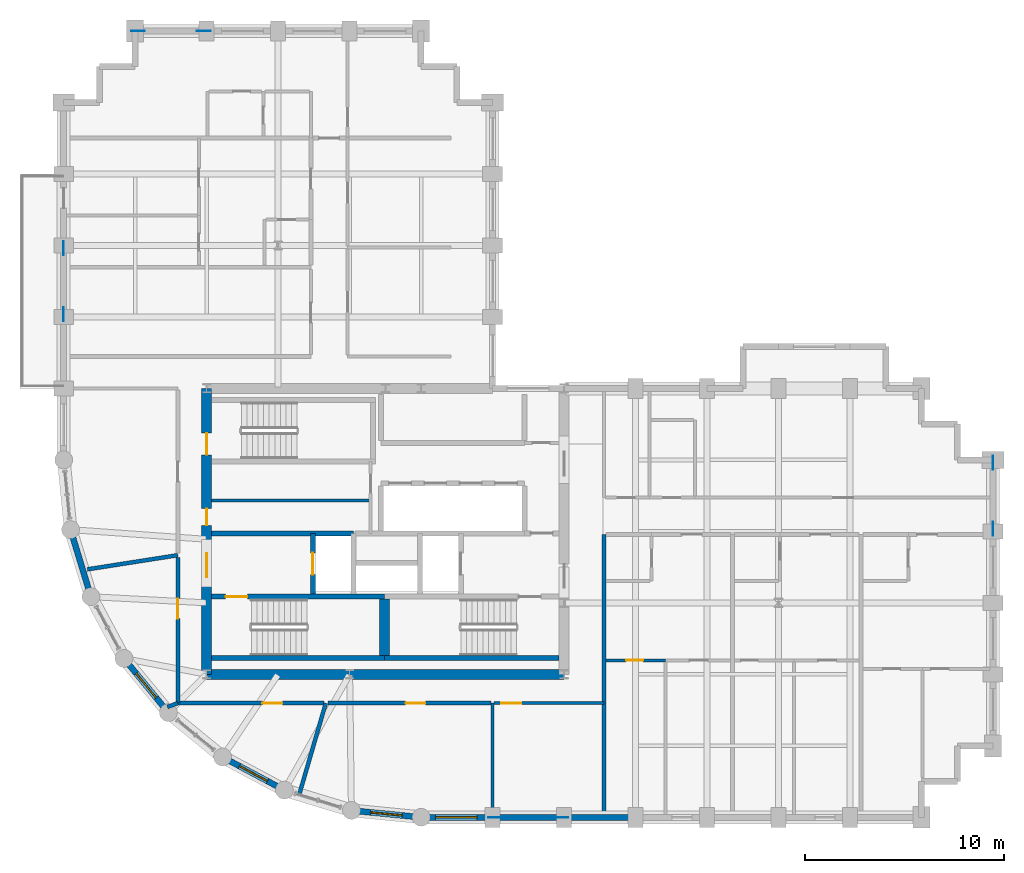
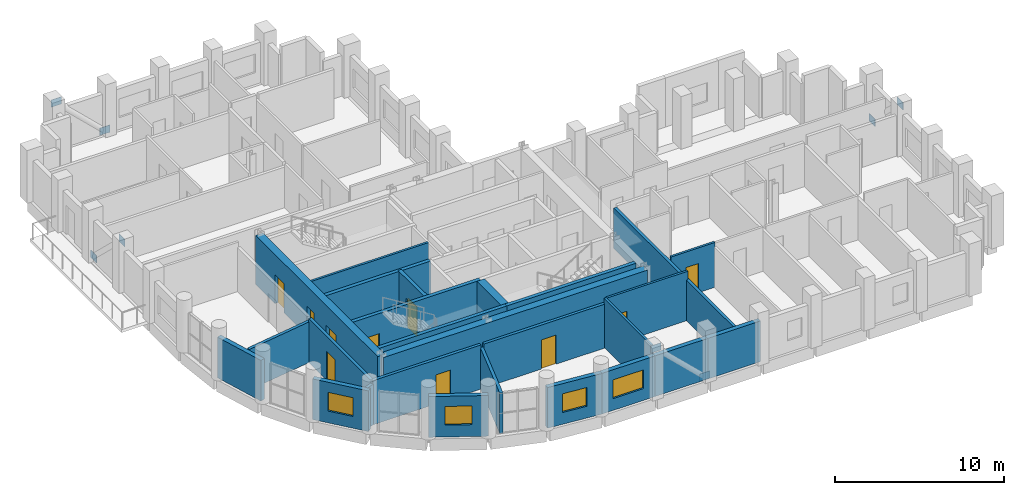
# One storey, part 9 of 15: 26 walls, 10 doors, 8 plates, 4 windows, 14 openings.
"""IFC4 building model written with IfcOpenShell, lengths in metres."""

import ifcopenshell
import ifcopenshell.guid

model = None  # the IFC model being written
_history = None  # IfcOwnerHistory: only IFC2X3 demands one
_inside = {}  # id of a spatial element -> (the spatial element, [elements in it])
_under = {}  # id of a project, library or spatial element -> (it, [spatial elements below it])
_declared = {}  # id of a project -> (the project, [libraries it declares])
_typed = {}  # id of a type object -> (the type object, [elements of that type])
_made_of = {}  # id of a material, layer set ... -> (it, [elements and type objects made of it])


def new_model(schema):
    """Start an empty IFC model of exactly this schema.

    Asked for "IFC4X3", IfcOpenShell would pick the latest addendum, in which some entities
    have other attributes; the version numbers below select the first issue.
    IFC2X3 requires an IfcOwnerHistory on every rooted entity: one is made here for all.
    """
    global model, _history
    if schema == "IFC4X3":
        model = ifcopenshell.file(schema_version=(4, 3, 0, 0))
    else:
        model = ifcopenshell.file(schema=schema)
    _inside.clear()
    _under.clear()
    _declared.clear()
    _typed.clear()
    _made_of.clear()
    _history = None
    if model.schema == "IFC2X3":
        org = make("IfcOrganization", Name="unknown")
        user = make(
            "IfcPersonAndOrganization",
            ThePerson=make("IfcPerson", FamilyName="unknown"),
            TheOrganization=org,
        )
        app = make(
            "IfcApplication",
            ApplicationDeveloper=org,
            Version="unknown",
            ApplicationFullName="unknown",
            ApplicationIdentifier="unknown",
        )
        _history = make(
            "IfcOwnerHistory",
            OwningUser=user,
            OwningApplication=app,
            ChangeAction="ADDED",
            CreationDate=0,
        )
    return model


def make(cls, **values):
    """One entity of the class cls with the attributes given. An attribute that is None is left unset."""
    return model.create_entity(
        cls, **{name: value for name, value in values.items() if value is not None}
    )


def rooted(cls, **values):
    """An entity with a GlobalId (a new one), such as an element, a storey or a relation."""
    return make(cls, GlobalId=ifcopenshell.guid.new(), OwnerHistory=_history, **values)


def si_unit(unit_type, name, prefix=None):
    """IfcSIUnit, for example si_unit("LENGTHUNIT", "METRE", prefix="MILLI")."""
    return make("IfcSIUnit", UnitType=unit_type, Prefix=prefix, Name=name)


def assignment(units):
    """IfcUnitAssignment: the units of a project."""
    return None if units is None else make("IfcUnitAssignment", Units=units)


def point(xyz):
    """IfcCartesianPoint."""
    return None if xyz is None else make("IfcCartesianPoint", Coordinates=xyz)


def direction(xyz):
    """IfcDirection."""
    return None if xyz is None else make("IfcDirection", DirectionRatios=xyz)


def frame(location, z_axis=None, x_axis=None):
    """IfcAxis2Placement3D, a coordinate frame: its origin and axes. An axis left out is left unset."""
    return make(
        "IfcAxis2Placement3D",
        Location=point(location),
        Axis=direction(z_axis),
        RefDirection=direction(x_axis),
    )


def frame_2d(location, x_axis=None):
    """IfcAxis2Placement2D, a coordinate frame in the plane: its origin and x axis."""
    return make(
        "IfcAxis2Placement2D", Location=point(location), RefDirection=direction(x_axis)
    )


def origin():
    """The frame at (0, 0, 0) with its axes left unset."""
    return frame((0.0, 0.0, 0.0))


def origin_2d():
    """The frame at (0, 0) in the plane with its x axis left unset."""
    return frame_2d((0.0, 0.0))


def place(relative_to, where):
    """IfcLocalPlacement: puts the frame where relative to a parent placement (None: the world)."""
    return make(
        "IfcLocalPlacement", PlacementRelTo=relative_to, RelativePlacement=where
    )


def context(
    kind, dimensions, precision=None, world=None, true_north=None, identifier=None
):
    """IfcGeometricRepresentationContext, for example the 3D "Model" context."""
    return make(
        "IfcGeometricRepresentationContext",
        ContextIdentifier=identifier,
        ContextType=kind,
        CoordinateSpaceDimension=dimensions,
        Precision=precision,
        WorldCoordinateSystem=world,
        TrueNorth=true_north,
    )


def subcontext(parent, identifier, kind, view, scale=None):
    """IfcGeometricRepresentationSubContext, for example "Body" below "Model"."""
    return make(
        "IfcGeometricRepresentationSubContext",
        ContextIdentifier=identifier,
        ContextType=kind,
        ParentContext=parent,
        TargetScale=scale,
        TargetView=view,
    )


def project(units=None, contexts=None):
    """IfcProject with its units and contexts."""
    return rooted(
        "IfcProject",
        Name="project",
        RepresentationContexts=contexts,
        UnitsInContext=assignment(units),
    )


def spatial(cls, under=None, at=None, **own):
    """A site, building, storey or space (cls), placed at a placement, below another one or the project."""
    s = rooted(cls, ObjectPlacement=at, **own)
    if under is not None:
        _under.setdefault(under.id(), (under, []))[1].append(s)
    return s


def profile(cls, at=None, kind="AREA", **sizes):
    """A parametric profile (cls). Its sizes go by their IFC names, for example OverallWidth=200.0."""
    return make(cls, ProfileType=kind, Position=at, **sizes)


def rectangle(**sizes):
    """IfcRectangleProfileDef."""
    return profile("IfcRectangleProfileDef", **sizes)


def extrude(swept, where, along, depth):
    """IfcExtrudedAreaSolid: the profile swept, set in the frame where, extruded along a direction by depth."""
    return make(
        "IfcExtrudedAreaSolid",
        SweptArea=swept,
        Position=where,
        ExtrudedDirection=direction(along),
        Depth=depth,
    )


def shape(context_of_items, identifier, shape_type, items):
    """IfcShapeRepresentation: the items that make up one representation, for example the "Body"."""
    return make(
        "IfcShapeRepresentation",
        ContextOfItems=context_of_items,
        RepresentationIdentifier=identifier,
        RepresentationType=shape_type,
        Items=items,
    )


def material(Name=None, Category=None):
    """IfcMaterial."""
    return make("IfcMaterial", Name=Name, Category=Category)


def layer(
    of_material, thickness, ventilated=None, Name=None, Category=None, Priority=None
):
    """IfcMaterialLayer: one layer of a wall or slab, of a material (None: an air gap)."""
    return make(
        "IfcMaterialLayer",
        Material=of_material,
        LayerThickness=thickness,
        IsVentilated=ventilated,
        Name=Name,
        Category=Category,
        Priority=Priority,
    )


def layer_set(layers, Name=None):
    """IfcMaterialLayerSet."""
    return make("IfcMaterialLayerSet", MaterialLayers=layers, LayerSetName=Name)


def made_of(thing, what):
    """Note that an element or type object is made of a material, layer set ...; save() writes the relation."""
    if what is not None:
        _made_of.setdefault(what.id(), (what, []))[1].append(thing)
    return thing


def type_object(cls, material=None, **own):
    """A type object (cls), such as IfcWallType, which elements share."""
    return made_of(rooted(cls, **own), material)


def element(
    cls,
    number,
    at=None,
    inside=None,
    cuts=None,
    type_object=None,
    material=None,
    context=None,
    identifier="Body",
    shape_type=None,
    held_by="IfcProductDefinitionShape",
    body=None,
    shapes=None,
    **own,
):
    """One element of the class cls, such as IfcWall. Its Tag is "e" and its number.

    at: its placement. inside: the storey or other place that contains it. cuts: it is an
    opening in that element (IfcRelVoidsElement). A single representation is given by context,
    identifier, shape_type and body (its items); several are given by shapes. held_by: the class
    of the entity that holds the representations. save() writes the other relations.
    """
    e = rooted(cls, Tag="e%d" % number, ObjectPlacement=at, **own)
    if body is not None:
        shapes = [shape(context, identifier, shape_type, body)]
    if shapes is not None:
        e.Representation = make(held_by, Representations=shapes)
    if inside is not None:
        _inside.setdefault(inside.id(), (inside, []))[1].append(e)
    if cuts is not None:
        rooted(
            "IfcRelVoidsElement", RelatingBuildingElement=cuts, RelatedOpeningElement=e
        )
    if type_object is not None:
        _typed.setdefault(type_object.id(), (type_object, []))[1].append(e)
    return made_of(e, material)


def fill(opening, filler):
    """IfcRelFillsElement: the door or window that sits in an opening."""
    return rooted(
        "IfcRelFillsElement",
        RelatingOpeningElement=opening,
        RelatedBuildingElement=filler,
    )


def aggregate(whole, parts):
    """IfcRelAggregates: a whole, such as a stair, and the parts it consists of."""
    return rooted("IfcRelAggregates", RelatingObject=whole, RelatedObjects=parts)


def save(model, path):
    """Write the relations noted so far, then the file.

    IfcRelAggregates (storeys below a building ...), IfcRelContainedInSpatialStructure (elements
    in a storey), IfcRelDefinesByType, IfcRelAssociatesMaterial and IfcRelDeclares: one each for
    every whole, place, type object, material and project.
    """
    for whole, parts in _under.values():
        aggregate(whole, parts)
    for where, things in _inside.values():
        rooted(
            "IfcRelContainedInSpatialStructure",
            RelatedElements=things,
            RelatingStructure=where,
        )
    for kind, things in _typed.values():
        rooted("IfcRelDefinesByType", RelatedObjects=things, RelatingType=kind)
    for what, things in _made_of.values():
        rooted("IfcRelAssociatesMaterial", RelatedObjects=things, RelatingMaterial=what)
    for by, libraries in _declared.values():
        rooted("IfcRelDeclares", RelatingContext=by, RelatedDefinitions=libraries)
    model.write(path)


model = new_model("IFC4")

# Units and contexts
model_context = context("Model", 3, precision=1e-05, world=origin(), true_north=direction((0.0, 1.0)))
body_context = subcontext(model_context, "Body", "Model", "MODEL_VIEW")
ifc_project = project(units=[si_unit("LENGTHUNIT", "METRE"), si_unit("AREAUNIT", "SQUARE_METRE"), si_unit("VOLUMEUNIT", "CUBIC_METRE"), si_unit("PLANEANGLEUNIT", "RADIAN"), si_unit("MASSUNIT", "GRAM", prefix="KILO")], contexts=[model_context])

# Site, building, storey
site_placement = place(None, origin())
site = spatial("IfcSite", under=ifc_project, at=site_placement, CompositionType="ELEMENT")
building_placement = place(site_placement, origin())
building = spatial("IfcBuilding", under=site, at=building_placement, Name="Solnavia Interchange Tower", CompositionType="ELEMENT")
storey_placement = place(building_placement, frame((0.0, 0.0, 146.60009765625)))
storey = spatial("IfcBuildingStorey", under=building, at=storey_placement, Name="L36", CompositionType="ELEMENT", Elevation=146.60009765625)

# Plates
ifc_material_1 = material(Name="Steel S460", Category="steel")
ifc_layer_1 = layer(ifc_material_1, 0.030029296875)
ifc_layer_set_1 = layer_set([ifc_layer_1], Name="Steel S460")
plate_type = type_object("IfcPlateType", Name="Plate-Gusset-700x520x30", PredefinedType="USERDEFINED", material=ifc_layer_set_1)
for number, where, z_axis, x_axis, name in (
    (1, (32.260009765625, 3.60009765625, -0.080078125), (0.0, 0.0, 1.0), (-1.0, 0.0, 0.0), "PLT-L36-GP01 Perimeter brace gusset plate"),
    (2, (28.93994140625, 3.60009765625, 3.10986328125), (0.0, 0.0, 1.0), (-1.0, 0.0, 0.0), "PLT-L36-GP02 Perimeter brace gusset plate"),
    (3, (7.199951171875, 32.260009765625, -0.080078125), (0.0, 0.0, 1.0), (0.0, -1.0, 0.0), "PLT-L36-GP03 Perimeter brace gusset plate"),
    (4, (7.199951171875, 28.93994140625, 3.10986328125), (0.0, 0.0, 1.0), (0.0, -1.0, 0.0), "PLT-L36-GP04 Perimeter brace gusset plate"),
    (5, (54.0, 21.4599609375, -0.080078125), (0.0, 0.0, 1.0), (0.0, -1.0, 0.0), "PLT-L36-GP05 Perimeter brace gusset plate"),
    (6, (54.0, 18.139892578125, 3.10986328125), (0.0, 0.0, 1.0), (0.0, -1.0, 0.0), "PLT-L36-GP06 Perimeter brace gusset plate"),
    (7, (14.260009765625, 43.199951171875, -0.080078125), (0.0, 0.0, 1.0), (-1.0, 0.0, 0.0), "PLT-L36-GP07 Perimeter brace gusset plate"),
    (8, (10.93994140625, 43.199951171875, 3.10986328125), (0.0, 0.0, 1.0), (-1.0, 0.0, 0.0), "PLT-L36-GP08 Perimeter brace gusset plate"),
):
    element("IfcPlate", number, at=place(storey_placement, frame(where, z_axis=z_axis, x_axis=x_axis)), inside=storey, type_object=plate_type, Name=name, ObjectType="GUSSET PLATE", PredefinedType="USERDEFINED", context=body_context, shape_type="SweptSolid", body=[
        extrude(rectangle(XDim=0.699951171875, YDim=0.030029296875, at=origin_2d()), origin(), (0.0, 0.0, 1.0), 0.52001953125),
    ])

# Walls
ifc_material_2 = material(Name="Gypsum Acoustic Twin-Stud & Mineral Wool", Category="gypsum")
ifc_layer_2 = layer(ifc_material_2, 0.199951171875)
ifc_layer_set_2 = layer_set([ifc_layer_2], Name="Gypsum Acoustic Twin-Stud & Mineral Wool")
wall_type_1 = type_object("IfcWallType", Name="Wall-ApartmentParty-200", PredefinedType="PARTITIONING", material=ifc_layer_set_2)
wall_1_placement = place(storey_placement, frame((12.949951171875, 16.800048828125, 0.0), z_axis=(0.0, 0.0, 1.0), x_axis=(-0.987973652082, -0.154622323068, 0.0)))
element("IfcWall", 9, at=wall_1_placement, inside=storey, type_object=wall_type_1, Name="PTW-L36-09 Interior partition wall", PredefinedType="PARTITIONING", context=body_context, shape_type="SweptSolid", body=[
    extrude(rectangle(XDim=4.612060546875, YDim=0.199951171875, at=frame_2d((2.30615234375, 0.0))), origin(), (0.0, 0.0, 1.0), 2.929931640625),
])
wall_2_placement = place(storey_placement, frame((12.949951171875, 9.35009765625, 0.0), z_axis=(0.0, 0.0, 1.0), x_axis=(-0.939538101119, -0.342444384601, 0.0)))
element("IfcWall", 10, at=wall_2_placement, inside=storey, type_object=wall_type_1, Name="PTW-L36-10 Interior partition wall", PredefinedType="PARTITIONING", context=body_context, shape_type="SweptSolid", body=[
    extrude(rectangle(XDim=0.558837890625, YDim=0.199951171875, at=frame_2d((0.279296875, 0.0))), origin(), (0.0, 0.0, 1.0), 2.929931640625),
])
wall_3_placement = place(storey_placement, frame((20.39990234375, 9.35009765625, 0.0), z_axis=(0.0, 0.0, 1.0), x_axis=(-0.27916607548, -0.960242835069, 0.0)))
element("IfcWall", 11, at=wall_3_placement, inside=storey, type_object=wall_type_1, Name="PTW-L36-11 Interior partition wall", PredefinedType="PARTITIONING", context=body_context, shape_type="SweptSolid", body=[
    extrude(rectangle(XDim=4.857177734375, YDim=0.199951171875, at=frame_2d((2.4287109375, 0.0))), origin(), (0.0, 0.0, 1.0), 2.929931640625),
])

# Wall, opening, door
wall_4_placement = place(storey_placement, frame((12.949951171875, 9.35009765625, 0.0), z_axis=(0.0, 0.0, 1.0), x_axis=(0.0, 1.0, 0.0)))
wall_4 = element("IfcWall", 12, at=wall_4_placement, inside=storey, type_object=wall_type_1, Name="PTW-L36-13 Interior partition wall", PredefinedType="PARTITIONING", context=body_context, shape_type="SweptSolid", body=[
    extrude(rectangle(XDim=7.345947265625, YDim=0.199951171875, at=frame_2d((3.6728515625, 0.0))), origin(), (0.0, 0.0, 1.0), 3.169921875),
])
opening_1_placement = place(wall_4_placement, frame((4.260986328125, 0.0, 0.0)))
opening_1 = element("IfcOpeningElement", 13, at=opening_1_placement, cuts=wall_4, Name="Opening DR-07", PredefinedType="OPENING", context=body_context, shape_type="SweptSolid", body=[
    extrude(rectangle(XDim=1.0, YDim=2.10009765625, at=frame_2d((0.5, 1.050048828125))), frame((0.0, 0.10986328125, 0.0), z_axis=(0.0, -1.0, 0.0), x_axis=(1.0, 0.0, 0.0)), (0.0, 0.0, 1.0), 0.219970703125),
])
ifc_material_3 = material(Name="Timber & Acoustic Glazed Office Door", Category="wood")
door_type_1 = type_object("IfcDoorType", Name="Door-Office-1000x2100", OperationType="SINGLE_SWING_RIGHT", PredefinedType="DOOR", material=ifc_material_3)
door_1_placement = place(opening_1_placement, origin())
door_1 = element("IfcDoor", 14, at=door_1_placement, inside=storey, type_object=door_type_1, Name="DR-L36-04 Interior room door", OperationType="SINGLE_SWING_RIGHT", OverallHeight=2.10009765625, OverallWidth=1.0, PredefinedType="DOOR", context=body_context, shape_type="SweptSolid", body=[
    extrude(rectangle(XDim=1.0, YDim=2.10009765625, at=frame_2d((0.5, 1.050048828125))), frame((0.0, 0.02490234375, 0.0), z_axis=(0.0, -1.0, 0.0), x_axis=(1.0, 0.0, 0.0)), (0.0, 0.0, 1.0), 0.050048828125),
])
fill(opening_1, door_1)

wall_5_placement = place(storey_placement, frame((12.949951171875, 9.35009765625, 0.0), z_axis=(0.0, 0.0, 1.0), x_axis=(1.0, 0.0, 0.0)))
wall_5 = element("IfcWall", 15, at=wall_5_placement, inside=storey, type_object=wall_type_1, Name="PTW-L36-14 Interior partition wall", PredefinedType="PARTITIONING", context=body_context, shape_type="SweptSolid", body=[
    extrude(rectangle(XDim=7.345947265625, YDim=0.199951171875, at=frame_2d((3.6728515625, 0.0))), origin(), (0.0, 0.0, 1.0), 3.179931640625),
])
opening_2_placement = place(wall_5_placement, frame((4.260986328125, 0.0, 0.0)))
opening_2 = element("IfcOpeningElement", 16, at=opening_2_placement, cuts=wall_5, Name="Opening DR-07", PredefinedType="OPENING", context=body_context, shape_type="SweptSolid", body=[
    extrude(rectangle(XDim=1.0, YDim=2.10009765625, at=frame_2d((0.5, 1.050048828125))), frame((0.0, 0.10986328125, 0.0), z_axis=(0.0, -1.0, 0.0), x_axis=(1.0, 0.0, 0.0)), (0.0, 0.0, 1.0), 0.219970703125),
])
door_2_placement = place(opening_2_placement, origin())
door_2 = element("IfcDoor", 17, at=door_2_placement, inside=storey, type_object=door_type_1, Name="DR-L36-05 Interior room door", OperationType="SINGLE_SWING_LEFT", OverallHeight=2.10009765625, OverallWidth=1.0, PredefinedType="DOOR", context=body_context, shape_type="SweptSolid", body=[
    extrude(rectangle(XDim=1.0, YDim=2.10009765625, at=frame_2d((0.5, 1.050048828125))), frame((0.0, 0.02490234375, 0.0), z_axis=(0.0, -1.0, 0.0), x_axis=(1.0, 0.0, 0.0)), (0.0, 0.0, 1.0), 0.050048828125),
])
fill(opening_2, door_2)

wall_6_placement = place(storey_placement, frame((20.50390625, 9.35009765625, 0.0), z_axis=(0.0, 0.0, 1.0), x_axis=(1.0, 0.0, 0.0)))
wall_6 = element("IfcWall", 18, at=wall_6_placement, inside=storey, type_object=wall_type_1, Name="PTW-L36-15 Interior partition wall", PredefinedType="PARTITIONING", context=body_context, shape_type="SweptSolid", body=[
    extrude(rectangle(XDim=8.217041015625, YDim=0.199951171875, at=frame_2d((4.1083984375, 0.0))), origin(), (0.0, 0.0, 1.0), 3.169921875),
])
opening_3_placement = place(wall_6_placement, frame((3.9140625, 0.0, 0.0)))
opening_3 = element("IfcOpeningElement", 19, at=opening_3_placement, cuts=wall_6, Name="Opening DR-07", PredefinedType="OPENING", context=body_context, shape_type="SweptSolid", body=[
    extrude(rectangle(XDim=1.0, YDim=2.10009765625, at=frame_2d((0.5, 1.050048828125))), frame((0.0, 0.10986328125, 0.0), z_axis=(0.0, -1.0, 0.0), x_axis=(1.0, 0.0, 0.0)), (0.0, 0.0, 1.0), 0.219970703125),
])
door_3_placement = place(opening_3_placement, origin())
door_3 = element("IfcDoor", 20, at=door_3_placement, inside=storey, type_object=door_type_1, Name="DR-L36-06 Interior room door", OperationType="SINGLE_SWING_RIGHT", OverallHeight=2.10009765625, OverallWidth=1.0, PredefinedType="DOOR", context=body_context, shape_type="SweptSolid", body=[
    extrude(rectangle(XDim=1.0, YDim=2.10009765625, at=frame_2d((0.5, 1.050048828125))), frame((0.0, 0.02490234375, 0.0), z_axis=(0.0, -1.0, 0.0), x_axis=(1.0, 0.0, 0.0)), (0.0, 0.0, 1.0), 0.050048828125),
])
fill(opening_3, door_3)

# Wall
wall_7_placement = place(storey_placement, frame((34.39990234375, 3.75390625, 0.0), z_axis=(0.0, 0.0, 1.0), x_axis=(0.0, 1.0, 0.0)))
element("IfcWall", 21, at=wall_7_placement, inside=storey, type_object=wall_type_1, Name="PTW-L36-17 Interior partition wall", PredefinedType="PARTITIONING", context=body_context, shape_type="SweptSolid", body=[
    extrude(rectangle(XDim=14.09619140625, YDim=0.199951171875, at=frame_2d((7.048095703125, 0.0))), origin(), (0.0, 0.0, 1.0), 2.929931640625),
])

# Wall, opening, window
ifc_material_4 = material(Name="Concrete C40/50", Category="concrete")
ifc_layer_3 = layer(ifc_material_4, 0.300048828125)
ifc_layer_set_3 = layer_set([ifc_layer_3], Name="Concrete C40/50")
wall_type_2 = type_object("IfcWallType", Name="Wall-ExtSpandrel-300", PredefinedType="STANDARD", material=ifc_layer_set_3)
wall_8_placement = place(storey_placement, frame((28.800048828125, 3.60009765625, 0.0), z_axis=(0.0, 0.0, 1.0), x_axis=(-1.0, 0.0, 0.0)))
wall_8 = element("IfcWall", 22, at=wall_8_placement, inside=storey, type_object=wall_type_2, Name="EXW-L36-01 Exterior precast spandrel wall", PredefinedType="STANDARD", context=body_context, shape_type="SweptSolid", body=[
    extrude(rectangle(XDim=3.60009765625, YDim=0.300048828125, at=frame_2d((1.800048828125, 0.0))), origin(), (0.0, 0.0, 1.0), 2.929931640625),
])
opening_4_placement = place(wall_8_placement, frame((0.77490234375, 0.0, 0.85009765625)))
opening_4 = element("IfcOpeningElement", 23, at=opening_4_placement, cuts=wall_8, Name="Opening WIN-01", PredefinedType="OPENING", context=body_context, shape_type="SweptSolid", body=[
    extrude(rectangle(XDim=2.10009765625, YDim=1.35009765625, at=frame_2d((1.050048828125, 0.675048828125))), frame((0.0, 0.16015625, 0.0), z_axis=(0.0, -1.0, 0.0), x_axis=(1.0, 0.0, 0.0)), (0.0, 0.0, 1.0), 0.320068359375),
])
ifc_material_5 = material(Name="Thermal-Break Aluminium & Low-E Glass", Category="aluminium")
window_type_1 = type_object("IfcWindowType", Name="Window-Ribbon-2100x1350", PartitioningType="SINGLE_PANEL", PredefinedType="WINDOW", material=ifc_material_5)
window_1_placement = place(opening_4_placement, origin())
window_1 = element("IfcWindow", 24, at=window_1_placement, inside=storey, type_object=window_type_1, Name="WIN-L36-01 Facade ribbon window", OverallHeight=1.35009765625, OverallWidth=2.10009765625, PartitioningType="SINGLE_PANEL", PredefinedType="WINDOW", context=body_context, shape_type="SweptSolid", body=[
    extrude(rectangle(XDim=2.10009765625, YDim=1.35009765625, at=frame_2d((1.050048828125, 0.675048828125))), frame((0.0, 0.030029296875, 0.0), z_axis=(0.0, -1.0, 0.0), x_axis=(1.0, 0.0, 0.0)), (0.0, 0.0, 1.0), 0.06005859375),
])
fill(opening_4, window_1)

# Walls
wall_9_placement = place(storey_placement, frame((32.39990234375, 3.60009765625, 0.0), z_axis=(0.0, 0.0, 1.0), x_axis=(-1.0, 0.0, 0.0)))
element("IfcWall", 25, at=wall_9_placement, inside=storey, type_object=wall_type_2, Name="EXW-L36-02 Exterior precast spandrel wall", PredefinedType="STANDARD", context=body_context, shape_type="SweptSolid", body=[
    extrude(rectangle(XDim=3.599853515625, YDim=0.300048828125, at=frame_2d((1.7998046875, 0.0))), origin(), (0.0, 0.0, 1.0), 2.929931640625),
])
wall_10_placement = place(storey_placement, frame((36.0, 3.60009765625, 0.0), z_axis=(0.0, 0.0, 1.0), x_axis=(-1.0, 0.0, 0.0)))
element("IfcWall", 26, at=wall_10_placement, inside=storey, type_object=wall_type_2, Name="EXW-L36-03 Exterior precast spandrel wall", PredefinedType="STANDARD", context=body_context, shape_type="SweptSolid", body=[
    extrude(rectangle(XDim=3.60009765625, YDim=0.300048828125, at=frame_2d((1.800048828125, 0.0))), origin(), (0.0, 0.0, 1.0), 2.929931640625),
])
wall_11_placement = place(storey_placement, frame((8.570068359375, 14.7119140625, 0.0), z_axis=(0.0, 0.0, 1.0), x_axis=(-0.290305086481, 0.956934144423, 0.0)))
element("IfcWall", 27, at=wall_11_placement, inside=storey, type_object=wall_type_2, Name="EXW-L36-52 Exterior precast spandrel wall", PredefinedType="STANDARD", context=body_context, shape_type="SweptSolid", body=[
    extrude(rectangle(XDim=3.52783203125, YDim=0.300048828125, at=frame_2d((1.763916015625, 0.0))), origin(), (0.0, 0.0, 1.0), 2.929931640625),
])

# Wall, opening, window
wall_12_placement = place(storey_placement, frame((12.471923828125, 8.8720703125, 0.0), z_axis=(0.0, 0.0, 1.0), x_axis=(-0.634258295121, 0.773121216285, 0.0)))
wall_12 = element("IfcWall", 28, at=wall_12_placement, inside=storey, type_object=wall_type_2, Name="EXW-L36-54 Exterior precast spandrel wall", PredefinedType="STANDARD", context=body_context, shape_type="SweptSolid", body=[
    extrude(rectangle(XDim=3.528564453125, YDim=0.300048828125, at=frame_2d((1.76416015625, 0.0))), origin(), (0.0, 0.0, 1.0), 2.929931640625),
])
opening_5_placement = place(wall_12_placement, frame((0.964111328125, 0.0, 0.85009765625)))
opening_5 = element("IfcOpeningElement", 29, at=opening_5_placement, cuts=wall_12, Name="Opening WIN-04", PredefinedType="OPENING", context=body_context, shape_type="SweptSolid", body=[
    extrude(rectangle(XDim=1.60009765625, YDim=1.35009765625, at=frame_2d((0.800048828125, 0.675048828125))), frame((0.0, 0.16015625, 0.0), z_axis=(0.0, -1.0, 0.0), x_axis=(1.0, 0.0, 0.0)), (0.0, 0.0, 1.0), 0.320068359375),
])
window_type_2 = type_object("IfcWindowType", Name="Window-Drum-1600x1350", PartitioningType="SINGLE_PANEL", PredefinedType="WINDOW", material=ifc_material_5)
window_2_placement = place(opening_5_placement, origin())
window_2 = element("IfcWindow", 30, at=window_2_placement, inside=storey, type_object=window_type_2, Name="WIN-L36-54 Facade ribbon window", OverallHeight=1.35009765625, OverallWidth=1.60009765625, PartitioningType="SINGLE_PANEL", PredefinedType="WINDOW", context=body_context, shape_type="SweptSolid", body=[
    extrude(rectangle(XDim=1.60009765625, YDim=1.35009765625, at=frame_2d((0.800048828125, 0.675048828125))), frame((0.0, 0.030029296875, 0.0), z_axis=(0.0, -1.0, 0.0), x_axis=(1.0, 0.0, 0.0)), (0.0, 0.0, 1.0), 0.06005859375),
])
fill(opening_5, window_2)

wall_13_placement = place(storey_placement, frame((18.31201171875, 4.969970703125, 0.0), z_axis=(0.0, 0.0, 1.0), x_axis=(-0.881846862014, 0.471535907389, 0.0)))
wall_13 = element("IfcWall", 31, at=wall_13_placement, inside=storey, type_object=wall_type_2, Name="EXW-L36-56 Exterior precast spandrel wall", PredefinedType="STANDARD", context=body_context, shape_type="SweptSolid", body=[
    extrude(rectangle(XDim=3.529052734375, YDim=0.300048828125, at=frame_2d((1.7646484375, 0.0))), origin(), (0.0, 0.0, 1.0), 2.929931640625),
])
opening_6_placement = place(wall_13_placement, frame((0.964111328125, 0.0, 0.85009765625)))
opening_6 = element("IfcOpeningElement", 32, at=opening_6_placement, cuts=wall_13, Name="Opening WIN-04", PredefinedType="OPENING", context=body_context, shape_type="SweptSolid", body=[
    extrude(rectangle(XDim=1.60009765625, YDim=1.35009765625, at=frame_2d((0.800048828125, 0.675048828125))), frame((0.0, 0.16015625, 0.0), z_axis=(0.0, -1.0, 0.0), x_axis=(1.0, 0.0, 0.0)), (0.0, 0.0, 1.0), 0.320068359375),
])
window_3_placement = place(opening_6_placement, origin())
window_3 = element("IfcWindow", 33, at=window_3_placement, inside=storey, type_object=window_type_2, Name="WIN-L36-56 Facade ribbon window", OverallHeight=1.35009765625, OverallWidth=1.60009765625, PartitioningType="SINGLE_PANEL", PredefinedType="WINDOW", context=body_context, shape_type="SweptSolid", body=[
    extrude(rectangle(XDim=1.60009765625, YDim=1.35009765625, at=frame_2d((0.800048828125, 0.675048828125))), frame((0.0, 0.030029296875, 0.0), z_axis=(0.0, -1.0, 0.0), x_axis=(1.0, 0.0, 0.0)), (0.0, 0.0, 1.0), 0.06005859375),
])
fill(opening_6, window_3)

wall_14_placement = place(storey_placement, frame((25.199951171875, 3.60009765625, 0.0), z_axis=(0.0, 0.0, 1.0), x_axis=(-0.995183369056, 0.098030923459, 0.0)))
wall_14 = element("IfcWall", 34, at=wall_14_placement, inside=storey, type_object=wall_type_2, Name="EXW-L36-58 Exterior precast spandrel wall", PredefinedType="STANDARD", context=body_context, shape_type="SweptSolid", body=[
    extrude(rectangle(XDim=3.529052734375, YDim=0.300048828125, at=frame_2d((1.7646484375, 0.0))), origin(), (0.0, 0.0, 1.0), 2.929931640625),
])
opening_7_placement = place(wall_14_placement, frame((0.965087890625, 0.0, 0.85009765625)))
opening_7 = element("IfcOpeningElement", 35, at=opening_7_placement, cuts=wall_14, Name="Opening WIN-04", PredefinedType="OPENING", context=body_context, shape_type="SweptSolid", body=[
    extrude(rectangle(XDim=1.60009765625, YDim=1.35009765625, at=frame_2d((0.800048828125, 0.675048828125))), frame((0.0, 0.16015625, 0.0), z_axis=(0.0, -1.0, 0.0), x_axis=(1.0, 0.0, 0.0)), (0.0, 0.0, 1.0), 0.320068359375),
])
window_4_placement = place(opening_7_placement, origin())
window_4 = element("IfcWindow", 36, at=window_4_placement, inside=storey, type_object=window_type_2, Name="WIN-L36-58 Facade ribbon window", OverallHeight=1.35009765625, OverallWidth=1.60009765625, PartitioningType="SINGLE_PANEL", PredefinedType="WINDOW", context=body_context, shape_type="SweptSolid", body=[
    extrude(rectangle(XDim=1.60009765625, YDim=1.35009765625, at=frame_2d((0.800048828125, 0.675048828125))), frame((0.0, 0.030029296875, 0.0), z_axis=(0.0, -1.0, 0.0), x_axis=(1.0, 0.0, 0.0)), (0.0, 0.0, 1.0), 0.06005859375),
])
fill(opening_7, window_4)

# Walls
ifc_material_6 = material(Name="Gypsum Plasterboard & Steel Stud", Category="steel")
ifc_layer_4 = layer(ifc_material_6, 0.14990234375)
ifc_layer_set_4 = layer_set([ifc_layer_4], Name="Gypsum Plasterboard & Steel Stud")
wall_type_3 = type_object("IfcWallType", Name="Wall-Partition-150", PredefinedType="PARTITIONING", material=ifc_layer_set_4)
wall_15_placement = place(storey_placement, frame((14.64990234375, 19.550048828125, 0.0), z_axis=(0.0, 0.0, 1.0), x_axis=(1.0, 0.0, 0.0)))
element("IfcWall", 37, at=wall_15_placement, inside=storey, type_object=wall_type_3, Name="CSW-L36-H1 Core shaft wall", PredefinedType="PARTITIONING", context=body_context, shape_type="SweptSolid", body=[
    extrude(rectangle(XDim=8.0, YDim=0.14990234375, at=frame_2d((4.0, 0.0))), origin(), (0.0, 0.0, 1.0), 3.534912109375),
])
wall_16_placement = place(storey_placement, frame((28.800048828125, 9.35009765625, 0.0), z_axis=(0.0, 0.0, 1.0), x_axis=(0.0, -1.0, 0.0)))
element("IfcWall", 38, at=wall_16_placement, inside=storey, type_object=wall_type_3, Name="PTW-L36-08 Interior partition wall", PredefinedType="PARTITIONING", context=body_context, shape_type="SweptSolid", body=[
    extrude(rectangle(XDim=5.59619140625, YDim=0.14990234375, at=frame_2d((2.798095703125, 0.0))), origin(), (0.0, 0.0, 1.0), 3.534912109375),
])

# Wall, opening, door
wall_17_placement = place(storey_placement, frame((28.87890625, 9.35009765625, 0.0), z_axis=(0.0, 0.0, 1.0), x_axis=(1.0, 0.0, 0.0)))
wall_17 = element("IfcWall", 39, at=wall_17_placement, inside=storey, type_object=wall_type_3, Name="PTW-L36-16 Interior partition wall", PredefinedType="PARTITIONING", context=body_context, shape_type="SweptSolid", body=[
    extrude(rectangle(XDim=5.52099609375, YDim=0.14990234375, at=frame_2d((2.760498046875, 0.0))), origin(), (0.0, 0.0, 1.0), 3.534912109375),
])
opening_8_placement = place(wall_17_placement, frame((0.360107421875, 0.0, 0.0)))
opening_8 = element("IfcOpeningElement", 40, at=opening_8_placement, cuts=wall_17, Name="Opening DR-07", PredefinedType="OPENING", context=body_context, shape_type="SweptSolid", body=[
    extrude(rectangle(XDim=1.0, YDim=2.10009765625, at=frame_2d((0.5, 1.050048828125))), frame((0.0, 0.0849609375, 0.0), z_axis=(0.0, -1.0, 0.0), x_axis=(1.0, 0.0, 0.0)), (0.0, 0.0, 1.0), 0.169921875),
])
door_4_placement = place(opening_8_placement, origin())
door_4 = element("IfcDoor", 41, at=door_4_placement, inside=storey, type_object=door_type_1, Name="DR-L36-07 Interior room door", OperationType="SINGLE_SWING_LEFT", OverallHeight=2.10009765625, OverallWidth=1.0, PredefinedType="DOOR", context=body_context, shape_type="SweptSolid", body=[
    extrude(rectangle(XDim=1.0, YDim=2.10009765625, at=frame_2d((0.5, 1.050048828125))), frame((0.0, 0.02490234375, 0.0), z_axis=(0.0, -1.0, 0.0), x_axis=(1.0, 0.0, 0.0)), (0.0, 0.0, 1.0), 0.050048828125),
])
fill(opening_8, door_4)

# Wall
ifc_layer_5 = layer(ifc_material_4, 0.25)
ifc_layer_set_5 = layer_set([ifc_layer_5], Name="Concrete C40/50")
wall_type_4 = type_object("IfcWallType", Name="Wall-ShaftCore-250", PredefinedType="SHEAR", material=ifc_layer_set_5)
wall_18_placement = place(storey_placement, frame((14.64990234375, 11.625, 0.0), z_axis=(0.0, 0.0, 1.0), x_axis=(1.0, 0.0, 0.0)))
element("IfcWall", 42, at=wall_18_placement, inside=storey, type_object=wall_type_4, Name="SHW-L36-ST1S Core shear wall", PredefinedType="SHEAR", context=body_context, shape_type="SweptSolid", body=[
    extrude(rectangle(XDim=8.7001953125, YDim=0.25, at=frame_2d((4.35009765625, 0.0))), origin(), (0.0, 0.0, 1.0), 3.5498046875),
])

# Wall, opening, door
wall_19_placement = place(storey_placement, frame((14.64990234375, 14.715087890625, 0.0), z_axis=(0.0, 0.0, 1.0), x_axis=(1.0, 0.0, 0.0)))
wall_19 = element("IfcWall", 43, at=wall_19_placement, inside=storey, type_object=wall_type_4, Name="SHW-L36-ST1N Core shear wall", PredefinedType="SHEAR", context=body_context, shape_type="SweptSolid", body=[
    extrude(rectangle(XDim=8.7001953125, YDim=0.25, at=frame_2d((4.35009765625, 0.0))), origin(), (0.0, 0.0, 1.0), 3.5498046875),
])
opening_9_placement = place(wall_19_placement, frame((0.705078125, 0.0, 0.0)))
opening_9 = element("IfcOpeningElement", 44, at=opening_9_placement, cuts=wall_19, Name="Opening DR-01", PredefinedType="OPENING", context=body_context, shape_type="SweptSolid", body=[
    extrude(rectangle(XDim=1.10009765625, YDim=2.10009765625, at=frame_2d((0.550048828125, 1.050048828125))), frame((0.0, 0.135009765625, 0.0), z_axis=(0.0, -1.0, 0.0), x_axis=(1.0, 0.0, 0.0)), (0.0, 0.0, 1.0), 0.27001953125),
])
ifc_material_7 = material(Name="Steel Fire-Rated Leaf & Frame", Category="steel")
door_type_2 = type_object("IfcDoorType", Name="Door-StairFire-1100x2100", OperationType="SINGLE_SWING_LEFT", PredefinedType="DOOR", material=ifc_material_7)
door_5_placement = place(opening_9_placement, origin())
door_5 = element("IfcDoor", 45, at=door_5_placement, inside=storey, type_object=door_type_2, Name="DR-L36-ST1 Core fire door", OperationType="SINGLE_SWING_LEFT", OverallHeight=2.10009765625, OverallWidth=1.10009765625, PredefinedType="DOOR", context=body_context, shape_type="SweptSolid", body=[
    extrude(rectangle(XDim=1.10009765625, YDim=2.10009765625, at=frame_2d((0.550048828125, 1.050048828125))), frame((0.0, 0.02490234375, 0.0), z_axis=(0.0, -1.0, 0.0), x_axis=(1.0, 0.0, 0.0)), (0.0, 0.0, 1.0), 0.050048828125),
])
fill(opening_9, door_5)

# Walls
wall_20_placement = place(storey_placement, frame((23.35009765625, 11.625, 0.0), z_axis=(0.0, 0.0, 1.0), x_axis=(1.0, 0.0, 0.0)))
element("IfcWall", 46, at=wall_20_placement, inside=storey, type_object=wall_type_4, Name="SHW-L36-ST2S Core shear wall", PredefinedType="SHEAR", context=body_context, shape_type="SweptSolid", body=[
    extrude(rectangle(XDim=8.7998046875, YDim=0.25, at=frame_2d((4.39990234375, 0.0))), origin(), (0.0, 0.0, 1.0), 3.5498046875),
])
ifc_layer_6 = layer(ifc_material_4, 0.25)
ifc_layer_set_6 = layer_set([ifc_layer_6], Name="Concrete C40/50")
wall_type_5 = type_object("IfcWallType", Name="Wall-ShaftPart-250", PredefinedType="PARTITIONING", material=ifc_layer_set_6)
wall_21_placement = place(storey_placement, frame((14.64990234375, 17.89990234375, 0.0), z_axis=(0.0, 0.0, 1.0), x_axis=(1.0, 0.0, 0.0)))
element("IfcWall", 47, at=wall_21_placement, inside=storey, type_object=wall_type_5, Name="SHW-L36-FFLW-N Core shaft wall", PredefinedType="PARTITIONING", context=body_context, shape_type="SweptSolid", body=[
    extrude(rectangle(XDim=7.150146484375, YDim=0.25, at=frame_2d((3.5751953125, 0.0))), origin(), (0.0, 0.0, 1.0), 3.534912109375),
])

# Wall, opening, door
wall_22_placement = place(storey_placement, frame((19.75, 14.840087890625, 0.0), z_axis=(0.0, 0.0, 1.0), x_axis=(0.0, 1.0, 0.0)))
wall_22 = element("IfcWall", 48, at=wall_22_placement, inside=storey, type_object=wall_type_5, Name="SHW-L36-FFL1-W Core shaft wall", PredefinedType="PARTITIONING", context=body_context, shape_type="SweptSolid", body=[
    extrude(rectangle(XDim=3.059814453125, YDim=0.25, at=frame_2d((1.52978515625, 0.0))), origin(), (0.0, 0.0, 1.0), 3.534912109375),
])
opening_10_placement = place(wall_22_placement, frame((0.97998046875, 0.0, 0.0)))
opening_10 = element("IfcOpeningElement", 49, at=opening_10_placement, cuts=wall_22, Name="Opening LD-01", PredefinedType="OPENING", context=body_context, shape_type="SweptSolid", body=[
    extrude(rectangle(XDim=1.10009765625, YDim=2.10009765625, at=frame_2d((0.550048828125, 1.050048828125))), frame((0.0, 0.135009765625, 0.0), z_axis=(0.0, -1.0, 0.0), x_axis=(1.0, 0.0, 0.0)), (0.0, 0.0, 1.0), 0.27001953125),
])
ifc_material_8 = material(Name="Brushed Stainless Steel Sliding Door", Category="steel")
door_type_3 = type_object("IfcDoorType", Name="Door-LiftLanding-1100x2100", OperationType="SLIDING_TO_LEFT", PredefinedType="DOOR", material=ifc_material_8)
door_6_placement = place(opening_10_placement, origin())
door_6 = element("IfcDoor", 50, at=door_6_placement, inside=storey, type_object=door_type_3, Name="LD-L36-FFL1 Lift landing sliding door", OperationType="SLIDING_TO_LEFT", OverallHeight=2.10009765625, OverallWidth=1.10009765625, PredefinedType="DOOR", context=body_context, shape_type="SweptSolid", body=[
    extrude(rectangle(XDim=1.10009765625, YDim=2.10009765625, at=frame_2d((0.550048828125, 1.050048828125))), frame((0.0, 0.02490234375, 0.0), z_axis=(0.0, -1.0, 0.0), x_axis=(1.0, 0.0, 0.0)), (0.0, 0.0, 1.0), 0.050048828125),
])
fill(opening_10, door_6)

# Wall
ifc_material_9 = material(Name="Concrete C60/75", Category="concrete")
ifc_layer_7 = layer(ifc_material_9, 0.5)
ifc_layer_set_7 = layer_set([ifc_layer_7], Name="Concrete C60/75")
wall_type_6 = type_object("IfcWallType", Name="Wall-ShearCore-500", PredefinedType="SHEAR", material=ifc_layer_set_7)
wall_23_placement = place(storey_placement, frame((14.39990234375, 10.800048828125, 0.0), z_axis=(0.0, 0.0, 1.0), x_axis=(1.0, 0.0, 0.0)))
element("IfcWall", 51, at=wall_23_placement, inside=storey, type_object=wall_type_6, Name="CRW-L36-S Core shear wall", PredefinedType="SHEAR", context=body_context, shape_type="SweptSolid", body=[
    extrude(rectangle(XDim=18.0, YDim=0.5, at=frame_2d((9.0, 0.0))), origin(), (0.0, 0.0, 1.0), 3.5498046875),
])

# Wall, openings, doors
wall_24_placement = place(storey_placement, frame((14.39990234375, 10.800048828125, 0.0), z_axis=(0.0, 0.0, 1.0), x_axis=(0.0, 1.0, 0.0)))
wall_24 = element("IfcWall", 52, at=wall_24_placement, inside=storey, type_object=wall_type_6, Name="CRW-L36-W Core shear wall", PredefinedType="SHEAR", context=body_context, shape_type="SweptSolid", body=[
    extrude(rectangle(XDim=14.39990234375, YDim=0.5, at=frame_2d((7.199951171875, 0.0))), origin(), (0.0, 0.0, 1.0), 3.5498046875),
])
opening_11_placement = place(wall_24_placement, frame((11.050048828125, 0.0, 0.0)))
opening_11 = element("IfcOpeningElement", 53, at=opening_11_placement, cuts=wall_24, Name="Opening DR-01", PredefinedType="OPENING", context=body_context, shape_type="SweptSolid", body=[
    extrude(rectangle(XDim=1.10009765625, YDim=2.10009765625, at=frame_2d((0.550048828125, 1.050048828125))), frame((0.0, 0.260009765625, 0.0), z_axis=(0.0, -1.0, 0.0), x_axis=(1.0, 0.0, 0.0)), (0.0, 0.0, 1.0), 0.52001953125),
])
opening_12_placement = place(wall_24_placement, frame((4.89990234375, 0.0, 0.0)))
opening_12 = element("IfcOpeningElement", 54, at=opening_12_placement, cuts=wall_24, Name="Opening DR-02", PredefinedType="OPENING", context=body_context, shape_type="SweptSolid", body=[
    extrude(rectangle(XDim=1.199951171875, YDim=2.10009765625, at=frame_2d((0.60009765625, 1.050048828125))), frame((0.0, 0.260009765625, 0.0), z_axis=(0.0, -1.0, 0.0), x_axis=(1.0, 0.0, 0.0)), (0.0, 0.0, 1.0), 0.52001953125),
])
opening_13_placement = place(wall_24_placement, frame((7.5, 0.0, 0.0)))
opening_13 = element("IfcOpeningElement", 55, at=opening_13_placement, cuts=wall_24, Name="Opening DR-10", PredefinedType="OPENING", context=body_context, shape_type="SweptSolid", body=[
    extrude(rectangle(XDim=0.85009765625, YDim=2.10009765625, at=frame_2d((0.425048828125, 1.050048828125))), frame((0.0, 0.260009765625, 0.0), z_axis=(0.0, -1.0, 0.0), x_axis=(1.0, 0.0, 0.0)), (0.0, 0.0, 1.0), 0.52001953125),
])
ifc_material_10 = material(Name="Moisture-Resistant Timber Door", Category="wood")
door_type_4 = type_object("IfcDoorType", Name="Door-Bathroom-850x2100", OperationType="SINGLE_SWING_RIGHT", PredefinedType="DOOR", material=ifc_material_10)
door_7_placement = place(opening_13_placement, origin())
door_7 = element("IfcDoor", 56, at=door_7_placement, inside=storey, type_object=door_type_4, Name="DR-L36-CS1 Core fire door", OperationType="SINGLE_SWING_RIGHT", OverallHeight=2.10009765625, OverallWidth=0.85009765625, PredefinedType="DOOR", context=body_context, shape_type="SweptSolid", body=[
    extrude(rectangle(XDim=0.85009765625, YDim=2.10009765625, at=frame_2d((0.425048828125, 1.050048828125))), frame((0.0, 0.02490234375, 0.0), z_axis=(0.0, -1.0, 0.0), x_axis=(1.0, 0.0, 0.0)), (0.0, 0.0, 1.0), 0.050048828125),
])
fill(opening_13, door_7)
ifc_material_11 = material(Name="Steel Fire-Rated Vision-Panel Door", Category="steel")
door_type_5 = type_object("IfcDoorType", Name="Door-LobbyFire-1200x2100", OperationType="SINGLE_SWING_RIGHT", PredefinedType="DOOR", material=ifc_material_11)
door_8_placement = place(opening_12_placement, origin())
door_8 = element("IfcDoor", 57, at=door_8_placement, inside=storey, type_object=door_type_5, Name="DR-L36-FFL1W Core fire door", OperationType="SINGLE_SWING_RIGHT", OverallHeight=2.10009765625, OverallWidth=1.199951171875, PredefinedType="DOOR", context=body_context, shape_type="SweptSolid", body=[
    extrude(rectangle(XDim=1.199951171875, YDim=2.10009765625, at=frame_2d((0.60009765625, 1.050048828125))), frame((0.0, 0.02490234375, 0.0), z_axis=(0.0, -1.0, 0.0), x_axis=(1.0, 0.0, 0.0)), (0.0, 0.0, 1.0), 0.050048828125),
])
fill(opening_12, door_8)
door_9_placement = place(opening_11_placement, origin())
door_9 = element("IfcDoor", 58, at=door_9_placement, inside=storey, type_object=door_type_2, Name="DR-L36-ST3 Core fire door", OperationType="SINGLE_SWING_RIGHT", OverallHeight=2.10009765625, OverallWidth=1.10009765625, PredefinedType="DOOR", context=body_context, shape_type="SweptSolid", body=[
    extrude(rectangle(XDim=1.10009765625, YDim=2.10009765625, at=frame_2d((0.550048828125, 1.050048828125))), frame((0.0, 0.02490234375, 0.0), z_axis=(0.0, -1.0, 0.0), x_axis=(1.0, 0.0, 0.0)), (0.0, 0.0, 1.0), 0.050048828125),
])
fill(opening_11, door_9)

# Wall
wall_25_placement = place(storey_placement, frame((23.35009765625, 11.75, 0.0), z_axis=(0.0, 0.0, 1.0), x_axis=(0.0, 1.0, 0.0)))
element("IfcWall", 59, at=wall_25_placement, inside=storey, type_object=wall_type_6, Name="SHW-L36-ST12M Core shear wall", PredefinedType="SHEAR", context=body_context, shape_type="SweptSolid", body=[
    extrude(rectangle(XDim=2.840087890625, YDim=0.5, at=frame_2d((1.419921875, 0.0))), origin(), (0.0, 0.0, 1.0), 3.5498046875),
])

# Wall, opening, door
ifc_material_12 = material(Name="Moisture-Resistant Gypsum & Steel Stud", Category="steel")
ifc_layer_8 = layer(ifc_material_12, 0.14990234375)
ifc_layer_set_8 = layer_set([ifc_layer_8], Name="Moisture-Resistant Gypsum & Steel Stud")
wall_type_7 = type_object("IfcWallType", Name="Wall-WetRoom-150", PredefinedType="PARTITIONING", material=ifc_layer_set_8)
wall_26_placement = place(storey_placement, frame((34.50390625, 11.5, 0.0), z_axis=(0.0, 0.0, 1.0), x_axis=(1.0, 0.0, 0.0)))
wall_26 = element("IfcWall", 60, at=wall_26_placement, inside=storey, type_object=wall_type_7, Name="PTW-L36-24 Interior partition wall", PredefinedType="PARTITIONING", context=body_context, shape_type="SweptSolid", body=[
    extrude(rectangle(XDim=2.99609375, YDim=0.14990234375, at=frame_2d((1.498046875, 0.0))), origin(), (0.0, 0.0, 1.0), 3.219970703125),
])
opening_14_placement = place(wall_26_placement, frame((1.02099609375, 0.0, 0.0)))
opening_14 = element("IfcOpeningElement", 61, at=opening_14_placement, cuts=wall_26, Name="Opening DR-10", PredefinedType="OPENING", context=body_context, shape_type="SweptSolid", body=[
    extrude(rectangle(XDim=0.85009765625, YDim=2.10009765625, at=frame_2d((0.425048828125, 1.050048828125))), frame((0.0, 0.0849609375, 0.0), z_axis=(0.0, -1.0, 0.0), x_axis=(1.0, 0.0, 0.0)), (0.0, 0.0, 1.0), 0.169921875),
])
door_10_placement = place(opening_14_placement, origin())
door_10 = element("IfcDoor", 62, at=door_10_placement, inside=storey, type_object=door_type_4, Name="DR-L36-11 Interior room door", OperationType="SINGLE_SWING_LEFT", OverallHeight=2.10009765625, OverallWidth=0.85009765625, PredefinedType="DOOR", context=body_context, shape_type="SweptSolid", body=[
    extrude(rectangle(XDim=0.85009765625, YDim=2.10009765625, at=frame_2d((0.425048828125, 1.050048828125))), frame((0.0, 0.02490234375, 0.0), z_axis=(0.0, -1.0, 0.0), x_axis=(1.0, 0.0, 0.0)), (0.0, 0.0, 1.0), 0.050048828125),
])
fill(opening_14, door_10)

save(model, "model.ifc")
